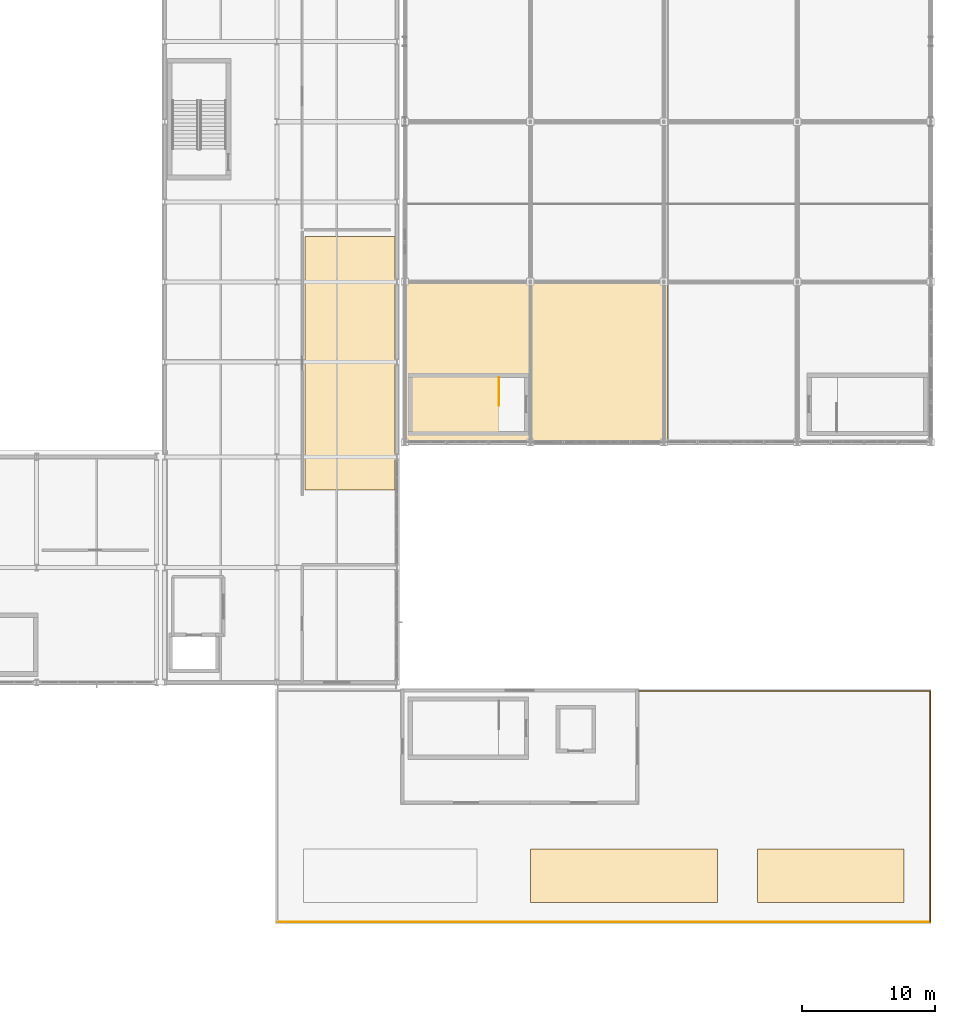
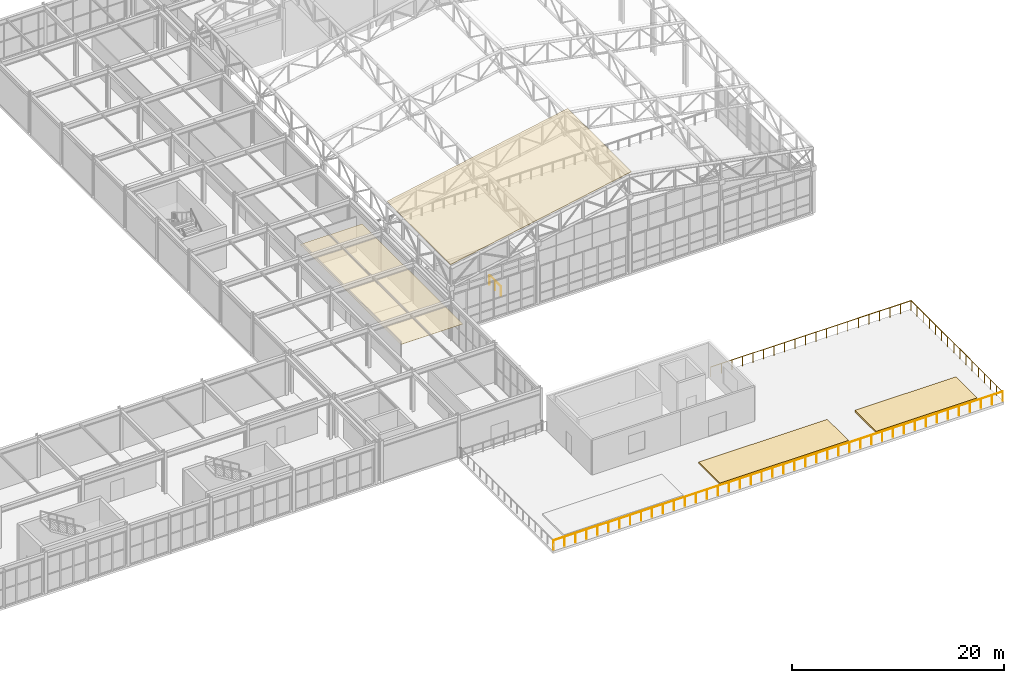
# One storey, part 108 of 112: 4 coverings, 3 railings.
"""IFC4 building model written with IfcOpenShell, lengths in metres."""

from ifc_helpers import new_model, si_unit, direction, frame, origin, origin_2d, place, context, subcontext, project, spatial, polyline, circle, outline, extrude, material, layer, layer_set, type_object, element, save


model = new_model("IFC4")

# Units and contexts
model_context = context("Model", 3, precision=1e-05, world=origin(), true_north=direction((0.0, 1.0)))
body_context = subcontext(model_context, "Body", "Model", "MODEL_VIEW")
ifc_project = project(units=[si_unit("LENGTHUNIT", "METRE"), si_unit("AREAUNIT", "SQUARE_METRE"), si_unit("VOLUMEUNIT", "CUBIC_METRE"), si_unit("PLANEANGLEUNIT", "RADIAN"), si_unit("MASSUNIT", "GRAM", prefix="KILO")], contexts=[model_context])

# Site, building, storey
site_placement = place(None, origin())
site = spatial("IfcSite", under=ifc_project, at=site_placement, CompositionType="ELEMENT")
building_placement = place(site_placement, origin())
building = spatial("IfcBuilding", under=site, at=building_placement, Name="Kaldris Quays Convention Centre", CompositionType="ELEMENT")
storey_placement = place(building_placement, frame((0.0, 0.0, 16.800048828125)))
storey = spatial("IfcBuildingStorey", under=building, at=storey_placement, Name="L03", CompositionType="ELEMENT", Elevation=16.800048828125)

# Coverings
ifc_material_1 = material(Name="Mineral fibre acoustic ceiling tile", Category="gypsum")
ifc_layer_1 = layer(ifc_material_1, 0.02490234375)
ifc_layer_set_1 = layer_set([ifc_layer_1], Name="Mineral fibre acoustic ceiling tile")
covering_type_1 = type_object("IfcCoveringType", Name="ACOUSTIC MINERAL CEILING AC01", PredefinedType="CEILING", material=ifc_layer_set_1)
covering_1_placement = place(storey_placement, frame((0.0, 0.0, 3.300048828125)))
element("IfcCovering", 1, at=covering_1_placement, inside=storey, type_object=covering_type_1, Name="L03 Acoustic Ceiling Sail 5", PredefinedType="CEILING", context=body_context, shape_type="SweptSolid", body=[
    extrude(outline(polyline([(157.10009765625, 52.39990234375), (163.85009765625, 52.39990234375), (163.85009765625, 71.39990234375), (157.10009765625, 71.39990234375), (157.10009765625, 52.39990234375)])), origin(), (0.0, 0.0, 1.0), 0.02490234375),
])
ifc_material_2 = material(Name="Alabaster white star-pierced anodized aluminium panel", Category="aluminium")
ifc_layer_2 = layer(ifc_material_2, 0.054931640625)
ifc_layer_set_2 = layer_set([ifc_layer_2], Name="Alabaster white star-pierced anodized aluminium panel")
covering_type_2 = type_object("IfcCoveringType", Name="ALABASTER WHITE STANDING SEAM ROOF SRF1", PredefinedType="ROOFING", material=ifc_layer_set_2)
covering_2_placement = place(storey_placement, frame((164.60009765625, 56.0, 7.73583984375), z_axis=(-0.189403212689, 0.0, 0.981899395571), x_axis=(0.981899395571, 0.0, 0.189403212689)))
element("IfcCovering", 2, at=covering_2_placement, inside=storey, type_object=covering_type_2, Name="Hall Alabaster White Standing-Seam Roof Panel 15", PredefinedType="ROOFING", context=body_context, shape_type="SweptSolid", body=[
    extrude(outline(polyline([(0.0, 0.0), (20.037495466685122, 0.0), (20.037495466685122, 12.0), (0.0, 12.0), (0.0, 0.0)])), origin(), (0.0, 0.0, -1.0), 0.054931640625),
])
ifc_material_3 = material(Name="Planted Basler Dachsubstrat mineral green roof", Category="earth")
ifc_layer_3 = layer(ifc_material_3, 0.199951171875)
ifc_layer_set_3 = layer_set([ifc_layer_3], Name="Planted Basler Dachsubstrat mineral green roof")
covering_type_3 = type_object("IfcCoveringType", Name="BASEL NATIVE GREEN ROOF SUBSTRATE GRF1", PredefinedType="ROOFING", material=ifc_layer_set_3)
covering_3_placement = place(storey_placement, origin())
element("IfcCovering", 3, at=covering_3_placement, inside=storey, type_object=covering_type_3, Name="L03 Planted Roof Garden Native Bed 2", PredefinedType="ROOFING", context=body_context, shape_type="SweptSolid", body=[
    extrude(outline(polyline([(174.0, 21.5), (188.0, 21.5), (188.0, 25.5), (174.0, 25.5), (174.0, 21.5)])), origin(), (0.0, 0.0, 1.0), 0.199951171875),
])
covering_4_placement = place(storey_placement, origin())
element("IfcCovering", 4, at=covering_4_placement, inside=storey, type_object=covering_type_3, Name="L03 Planted Roof Garden Native Bed 3", PredefinedType="ROOFING", context=body_context, shape_type="SweptSolid", body=[
    extrude(outline(polyline([(191.0, 21.5), (202.0, 21.5), (202.0, 25.5), (191.0, 25.5), (191.0, 21.5)])), origin(), (0.0, 0.0, 1.0), 0.199951171875),
])

# Railings
ifc_material_4 = material(Name="Steel S355J2", Category="steel")
railing_type_1 = type_object("IfcRailingType", Name="INTERIOR GUARDRAIL GR01", PredefinedType="GUARDRAIL", material=ifc_material_4)
railing_1_placement = place(storey_placement, frame((171.64990234375, 60.85009765625, 0.0)))
element("IfcRailing", 5, at=railing_1_placement, inside=storey, type_object=railing_type_1, Name="L03 ST08 Top Well Guardrail 1", PredefinedType="GUARDRAIL", context=body_context, shape_type="SweptSolid", body=[
    extrude(circle(Radius=0.02392578125, at=origin_2d()), frame((0.0, 0.0, 1.076171875), z_axis=(0.0, -1.0, 0.0), x_axis=(1.0, 0.0, 0.0)), (0.0, 0.0, 1.0), 2.10009765625),
    extrude(circle(Radius=0.02099609375, at=origin_2d()), origin(), (0.0, 0.0, 1.0), 1.052001953125),
    extrude(circle(Radius=0.02099609375, at=origin_2d()), frame((0.0, -1.050048828125, 0.0)), (0.0, 0.0, 1.0), 1.052001953125),
    extrude(circle(Radius=0.02099609375, at=origin_2d()), frame((0.0, -2.10009765625, 0.0)), (0.0, 0.0, 1.0), 1.052001953125),
])
ifc_material_5 = material(Name="Stainless steel 1.4401", Category="steel")
railing_type_2 = type_object("IfcRailingType", Name="PROMENADE BALUSTRADE BL01", PredefinedType="BALUSTRADE", material=ifc_material_5)
railing_2_placement = place(storey_placement, frame((155.050048828125, 20.050048828125, 0.0)))
element("IfcRailing", 6, at=railing_2_placement, inside=storey, type_object=railing_type_2, Name="L03 Planted Roof Garden Riverfront Balustrade", PredefinedType="BALUSTRADE", context=body_context, shape_type="SweptSolid", body=[
    extrude(circle(Radius=0.02392578125, at=origin_2d()), frame((0.0, 0.0, 1.1259765625), z_axis=(1.0, 0.0, 0.0), x_axis=(0.0, 1.0, 0.0)), (0.0, 0.0, 1.0), 48.89990234375),
    extrude(circle(Radius=0.02099609375, at=origin_2d()), origin(), (0.0, 0.0, 1.0), 1.101806640625),
    extrude(circle(Radius=0.02099609375, at=origin_2d()), frame((1.192626953125, 0.0, 0.0)), (0.0, 0.0, 1.0), 1.101806640625),
    extrude(circle(Radius=0.02099609375, at=origin_2d()), frame((2.38525390625, 0.0, 0.0)), (0.0, 0.0, 1.0), 1.101806640625),
    extrude(circle(Radius=0.02099609375, at=origin_2d()), frame((3.578125, 0.0, 0.0)), (0.0, 0.0, 1.0), 1.101806640625),
    extrude(circle(Radius=0.02099609375, at=origin_2d()), frame((4.770751953125, 0.0, 0.0)), (0.0, 0.0, 1.0), 1.101806640625),
    extrude(circle(Radius=0.02099609375, at=origin_2d()), frame((5.96337890625, 0.0, 0.0)), (0.0, 0.0, 1.0), 1.101806640625),
    extrude(circle(Radius=0.02099609375, at=origin_2d()), frame((7.156005859375, 0.0, 0.0)), (0.0, 0.0, 1.0), 1.101806640625),
    extrude(circle(Radius=0.02099609375, at=origin_2d()), frame((8.348876953125, 0.0, 0.0)), (0.0, 0.0, 1.0), 1.101806640625),
    extrude(circle(Radius=0.02099609375, at=origin_2d()), frame((9.54150390625, 0.0, 0.0)), (0.0, 0.0, 1.0), 1.101806640625),
    extrude(circle(Radius=0.02099609375, at=origin_2d()), frame((10.734130859375, 0.0, 0.0)), (0.0, 0.0, 1.0), 1.101806640625),
    extrude(circle(Radius=0.02099609375, at=origin_2d()), frame((11.9267578125, 0.0, 0.0)), (0.0, 0.0, 1.0), 1.101806640625),
    extrude(circle(Radius=0.02099609375, at=origin_2d()), frame((13.119384765625, 0.0, 0.0)), (0.0, 0.0, 1.0), 1.101806640625),
    extrude(circle(Radius=0.02099609375, at=origin_2d()), frame((14.312255859375, 0.0, 0.0)), (0.0, 0.0, 1.0), 1.101806640625),
    extrude(circle(Radius=0.02099609375, at=origin_2d()), frame((15.5048828125, 0.0, 0.0)), (0.0, 0.0, 1.0), 1.101806640625),
    extrude(circle(Radius=0.02099609375, at=origin_2d()), frame((16.697509765625, 0.0, 0.0)), (0.0, 0.0, 1.0), 1.101806640625),
    extrude(circle(Radius=0.02099609375, at=origin_2d()), frame((17.89013671875, 0.0, 0.0)), (0.0, 0.0, 1.0), 1.101806640625),
    extrude(circle(Radius=0.02099609375, at=origin_2d()), frame((19.0830078125, 0.0, 0.0)), (0.0, 0.0, 1.0), 1.101806640625),
    extrude(circle(Radius=0.02099609375, at=origin_2d()), frame((20.275634765625, 0.0, 0.0)), (0.0, 0.0, 1.0), 1.101806640625),
    extrude(circle(Radius=0.02099609375, at=origin_2d()), frame((21.46826171875, 0.0, 0.0)), (0.0, 0.0, 1.0), 1.101806640625),
    extrude(circle(Radius=0.02099609375, at=origin_2d()), frame((22.660888671875, 0.0, 0.0)), (0.0, 0.0, 1.0), 1.101806640625),
    extrude(circle(Radius=0.02099609375, at=origin_2d()), frame((23.853515625, 0.0, 0.0)), (0.0, 0.0, 1.0), 1.101806640625),
    extrude(circle(Radius=0.02099609375, at=origin_2d()), frame((25.04638671875, 0.0, 0.0)), (0.0, 0.0, 1.0), 1.101806640625),
    extrude(circle(Radius=0.02099609375, at=origin_2d()), frame((26.239013671875, 0.0, 0.0)), (0.0, 0.0, 1.0), 1.101806640625),
    extrude(circle(Radius=0.02099609375, at=origin_2d()), frame((27.431640625, 0.0, 0.0)), (0.0, 0.0, 1.0), 1.101806640625),
    extrude(circle(Radius=0.02099609375, at=origin_2d()), frame((28.624267578125, 0.0, 0.0)), (0.0, 0.0, 1.0), 1.101806640625),
    extrude(circle(Radius=0.02099609375, at=origin_2d()), frame((29.81689453125, 0.0, 0.0)), (0.0, 0.0, 1.0), 1.101806640625),
    extrude(circle(Radius=0.02099609375, at=origin_2d()), frame((31.009765625, 0.0, 0.0)), (0.0, 0.0, 1.0), 1.101806640625),
    extrude(circle(Radius=0.02099609375, at=origin_2d()), frame((32.202392578125, 0.0, 0.0)), (0.0, 0.0, 1.0), 1.101806640625),
    extrude(circle(Radius=0.02099609375, at=origin_2d()), frame((33.39501953125, 0.0, 0.0)), (0.0, 0.0, 1.0), 1.101806640625),
    extrude(circle(Radius=0.02099609375, at=origin_2d()), frame((34.587646484375, 0.0, 0.0)), (0.0, 0.0, 1.0), 1.101806640625),
    extrude(circle(Radius=0.02099609375, at=origin_2d()), frame((35.780517578125, 0.0, 0.0)), (0.0, 0.0, 1.0), 1.101806640625),
    extrude(circle(Radius=0.02099609375, at=origin_2d()), frame((36.97314453125, 0.0, 0.0)), (0.0, 0.0, 1.0), 1.101806640625),
    extrude(circle(Radius=0.02099609375, at=origin_2d()), frame((38.165771484375, 0.0, 0.0)), (0.0, 0.0, 1.0), 1.101806640625),
    extrude(circle(Radius=0.02099609375, at=origin_2d()), frame((39.3583984375, 0.0, 0.0)), (0.0, 0.0, 1.0), 1.101806640625),
    extrude(circle(Radius=0.02099609375, at=origin_2d()), frame((40.551025390625, 0.0, 0.0)), (0.0, 0.0, 1.0), 1.101806640625),
    extrude(circle(Radius=0.02099609375, at=origin_2d()), frame((41.743896484375, 0.0, 0.0)), (0.0, 0.0, 1.0), 1.101806640625),
    extrude(circle(Radius=0.02099609375, at=origin_2d()), frame((42.9365234375, 0.0, 0.0)), (0.0, 0.0, 1.0), 1.101806640625),
    extrude(circle(Radius=0.02099609375, at=origin_2d()), frame((44.129150390625, 0.0, 0.0)), (0.0, 0.0, 1.0), 1.101806640625),
    extrude(circle(Radius=0.02099609375, at=origin_2d()), frame((45.32177734375, 0.0, 0.0)), (0.0, 0.0, 1.0), 1.101806640625),
    extrude(circle(Radius=0.02099609375, at=origin_2d()), frame((46.5146484375, 0.0, 0.0)), (0.0, 0.0, 1.0), 1.101806640625),
    extrude(circle(Radius=0.02099609375, at=origin_2d()), frame((47.707275390625, 0.0, 0.0)), (0.0, 0.0, 1.0), 1.101806640625),
    extrude(circle(Radius=0.02099609375, at=origin_2d()), frame((48.89990234375, 0.0, 0.0)), (0.0, 0.0, 1.0), 1.101806640625),
])
railing_type_3 = type_object("IfcRailingType", Name="TERRACE GUARDRAIL GR02", PredefinedType="GUARDRAIL", material=ifc_material_4)
railing_3_placement = place(storey_placement, frame((203.949951171875, 20.050048828125, 0.0)))
element("IfcRailing", 7, at=railing_3_placement, inside=storey, type_object=railing_type_3, Name="L03 Planted Roof Garden East Guardrail", PredefinedType="GUARDRAIL", context=body_context, shape_type="SweptSolid", body=[
    extrude(circle(Radius=0.02392578125, at=origin_2d()), frame((0.0, 0.0, 1.09619140625), z_axis=(0.0, 1.0, 0.0), x_axis=(-1.0, 0.0, 0.0)), (0.0, 0.0, 1.0), 17.300048828125),
    extrude(circle(Radius=0.02392578125, at=origin_2d()), frame((0.0, 17.300048828125, 1.09619140625), z_axis=(-1.0, 0.0, 0.0), x_axis=(0.0, -1.0, 0.0)), (0.0, 0.0, 1.0), 21.800048828125),
    extrude(circle(Radius=0.02099609375, at=origin_2d()), origin(), (0.0, 0.0, 1.0), 1.072021484375),
    extrude(circle(Radius=0.02099609375, at=origin_2d()), frame((0.0, 1.1533203125, 0.0)), (0.0, 0.0, 1.0), 1.072021484375),
    extrude(circle(Radius=0.02099609375, at=origin_2d()), frame((0.0, 2.306640625, 0.0)), (0.0, 0.0, 1.0), 1.072021484375),
    extrude(circle(Radius=0.02099609375, at=origin_2d()), frame((0.0, 3.4599609375, 0.0)), (0.0, 0.0, 1.0), 1.072021484375),
    extrude(circle(Radius=0.02099609375, at=origin_2d()), frame((0.0, 4.61328125, 0.0)), (0.0, 0.0, 1.0), 1.072021484375),
    extrude(circle(Radius=0.02099609375, at=origin_2d()), frame((0.0, 5.7666015625, 0.0)), (0.0, 0.0, 1.0), 1.072021484375),
    extrude(circle(Radius=0.02099609375, at=origin_2d()), frame((0.0, 6.919921875, 0.0)), (0.0, 0.0, 1.0), 1.072021484375),
    extrude(circle(Radius=0.02099609375, at=origin_2d()), frame((0.0, 8.0732421875, 0.0)), (0.0, 0.0, 1.0), 1.072021484375),
    extrude(circle(Radius=0.02099609375, at=origin_2d()), frame((0.0, 9.226806640625, 0.0)), (0.0, 0.0, 1.0), 1.072021484375),
    extrude(circle(Radius=0.02099609375, at=origin_2d()), frame((0.0, 10.380126953125, 0.0)), (0.0, 0.0, 1.0), 1.072021484375),
    extrude(circle(Radius=0.02099609375, at=origin_2d()), frame((0.0, 11.533447265625, 0.0)), (0.0, 0.0, 1.0), 1.072021484375),
    extrude(circle(Radius=0.02099609375, at=origin_2d()), frame((0.0, 12.686767578125, 0.0)), (0.0, 0.0, 1.0), 1.072021484375),
    extrude(circle(Radius=0.02099609375, at=origin_2d()), frame((0.0, 13.840087890625, 0.0)), (0.0, 0.0, 1.0), 1.072021484375),
    extrude(circle(Radius=0.02099609375, at=origin_2d()), frame((0.0, 14.993408203125, 0.0)), (0.0, 0.0, 1.0), 1.072021484375),
    extrude(circle(Radius=0.02099609375, at=origin_2d()), frame((0.0, 16.146728515625, 0.0)), (0.0, 0.0, 1.0), 1.072021484375),
    extrude(circle(Radius=0.02099609375, at=origin_2d()), frame((0.0, 17.300048828125, 0.0)), (0.0, 0.0, 1.0), 1.072021484375),
    extrude(circle(Radius=0.02099609375, at=origin_2d()), frame((-1.1474609375, 17.300048828125, 0.0)), (0.0, 0.0, 1.0), 1.072021484375),
    extrude(circle(Radius=0.02099609375, at=origin_2d()), frame((-2.294677734375, 17.300048828125, 0.0)), (0.0, 0.0, 1.0), 1.072021484375),
    extrude(circle(Radius=0.02099609375, at=origin_2d()), frame((-3.442138671875, 17.300048828125, 0.0)), (0.0, 0.0, 1.0), 1.072021484375),
    extrude(circle(Radius=0.02099609375, at=origin_2d()), frame((-4.589599609375, 17.300048828125, 0.0)), (0.0, 0.0, 1.0), 1.072021484375),
    extrude(circle(Radius=0.02099609375, at=origin_2d()), frame((-5.73681640625, 17.300048828125, 0.0)), (0.0, 0.0, 1.0), 1.072021484375),
    extrude(circle(Radius=0.02099609375, at=origin_2d()), frame((-6.88427734375, 17.300048828125, 0.0)), (0.0, 0.0, 1.0), 1.072021484375),
    extrude(circle(Radius=0.02099609375, at=origin_2d()), frame((-8.031494140625, 17.300048828125, 0.0)), (0.0, 0.0, 1.0), 1.072021484375),
    extrude(circle(Radius=0.02099609375, at=origin_2d()), frame((-9.178955078125, 17.300048828125, 0.0)), (0.0, 0.0, 1.0), 1.072021484375),
    extrude(circle(Radius=0.02099609375, at=origin_2d()), frame((-10.326416015625, 17.300048828125, 0.0)), (0.0, 0.0, 1.0), 1.072021484375),
    extrude(circle(Radius=0.02099609375, at=origin_2d()), frame((-11.4736328125, 17.300048828125, 0.0)), (0.0, 0.0, 1.0), 1.072021484375),
    extrude(circle(Radius=0.02099609375, at=origin_2d()), frame((-12.62109375, 17.300048828125, 0.0)), (0.0, 0.0, 1.0), 1.072021484375),
    extrude(circle(Radius=0.02099609375, at=origin_2d()), frame((-13.7685546875, 17.300048828125, 0.0)), (0.0, 0.0, 1.0), 1.072021484375),
    extrude(circle(Radius=0.02099609375, at=origin_2d()), frame((-14.915771484375, 17.300048828125, 0.0)), (0.0, 0.0, 1.0), 1.072021484375),
    extrude(circle(Radius=0.02099609375, at=origin_2d()), frame((-16.063232421875, 17.300048828125, 0.0)), (0.0, 0.0, 1.0), 1.072021484375),
    extrude(circle(Radius=0.02099609375, at=origin_2d()), frame((-17.21044921875, 17.300048828125, 0.0)), (0.0, 0.0, 1.0), 1.072021484375),
    extrude(circle(Radius=0.02099609375, at=origin_2d()), frame((-18.35791015625, 17.300048828125, 0.0)), (0.0, 0.0, 1.0), 1.072021484375),
    extrude(circle(Radius=0.02099609375, at=origin_2d()), frame((-19.50537109375, 17.300048828125, 0.0)), (0.0, 0.0, 1.0), 1.072021484375),
    extrude(circle(Radius=0.02099609375, at=origin_2d()), frame((-20.652587890625, 17.300048828125, 0.0)), (0.0, 0.0, 1.0), 1.072021484375),
    extrude(circle(Radius=0.02099609375, at=origin_2d()), frame((-21.800048828125, 17.300048828125, 0.0)), (0.0, 0.0, 1.0), 1.072021484375),
])

save(model, "model.ifc")
